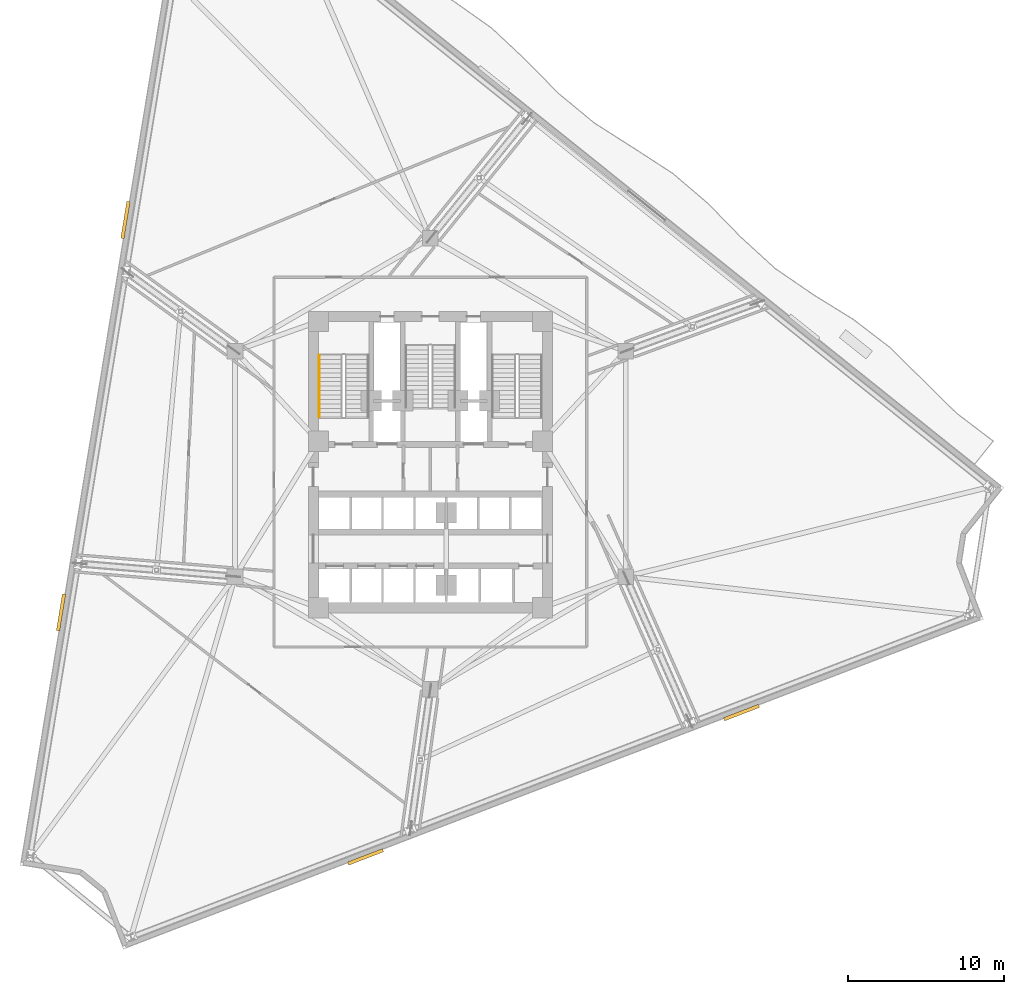
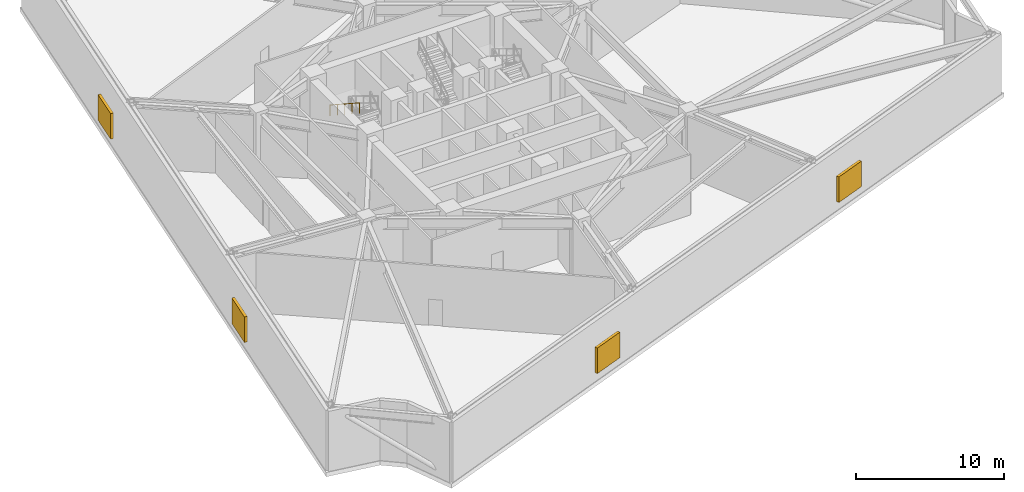
# One storey, part 16 of 18: 4 shading devices, 1 railing.
"""IFC4 building model written with IfcOpenShell, lengths in metres."""

from ifc_helpers import new_model, si_unit, direction, frame, origin, origin_2d, place, context, subcontext, project, spatial, rectangle, extrude, material, type_object, element, save


model = new_model("IFC4")

# Units and contexts
model_context = context("Model", 3, precision=1e-05, world=origin(), true_north=direction((0.0, 1.0)))
body_context = subcontext(model_context, "Body", "Model", "MODEL_VIEW")
ifc_project = project(units=[si_unit("LENGTHUNIT", "METRE"), si_unit("AREAUNIT", "SQUARE_METRE"), si_unit("VOLUMEUNIT", "CUBIC_METRE"), si_unit("PLANEANGLEUNIT", "RADIAN"), si_unit("MASSUNIT", "GRAM", prefix="KILO")], contexts=[model_context])

# Site, building, storey
site_placement = place(None, origin())
site = spatial("IfcSite", under=ifc_project, at=site_placement, CompositionType="ELEMENT")
building_placement = place(site_placement, origin())
building = spatial("IfcBuilding", under=site, at=building_placement, Name="Apsidion Concourse Tower", CompositionType="ELEMENT")
storey_placement = place(building_placement, frame((0.0, 0.0, 127.0)))
storey = spatial("IfcBuildingStorey", under=building, at=storey_placement, Name="L29", CompositionType="ELEMENT", Elevation=127.0)

# Railing
ifc_material_1 = material(Name="Brushed stainless steel 316", Category="steel")
railing_type = type_object("IfcRailingType", Name="RL-HAND-900", PredefinedType="HANDRAIL", material=ifc_material_1)
railing_placement = place(storey_placement, frame((-7.14990234375, 6.989990234375, 2.7734375)))
element("IfcRailing", 1, at=railing_placement, inside=storey, type_object=railing_type, Name="L29 ST1 stair handrail 2", PredefinedType="HANDRAIL", context=body_context, shape_type="SweptSolid", body=[
    extrude(rectangle(XDim=0.048095703125, YDim=0.048095703125, at=origin_2d()), frame((0.0, 0.0, 0.8759765625), z_axis=(0.0, -0.837832859484, 0.545926826204), x_axis=(1.0, 0.0, 0.0)), (0.0, 0.0, 1.0), 4.76220703125),
    extrude(rectangle(XDim=0.0419921875, YDim=0.0419921875, at=origin_2d()), origin(), (0.0, 0.0, 1.0), 0.851806640625),
    extrude(rectangle(XDim=0.0419921875, YDim=0.0419921875, at=origin_2d()), frame((0.0, -0.99755859375, 0.64990234375)), (0.0, 0.0, 1.0), 0.851806640625),
    extrude(rectangle(XDim=0.0419921875, YDim=0.0419921875, at=origin_2d()), frame((0.0, -1.9951171875, 1.2998046875)), (0.0, 0.0, 1.0), 0.851806640625),
    extrude(rectangle(XDim=0.0419921875, YDim=0.0419921875, at=origin_2d()), frame((0.0, -2.992431640625, 1.949951171875)), (0.0, 0.0, 1.0), 0.851806640625),
    extrude(rectangle(XDim=0.0419921875, YDim=0.0419921875, at=origin_2d()), frame((0.0, -3.989990234375, 2.599853515625)), (0.0, 0.0, 1.0), 0.851806640625),
])

# Shading devices
ifc_material_2 = material(Name="Anodised aluminium EN AW-6063 T6", Category="aluminium")
shading_device_type = type_object("IfcShadingDeviceType", Name="SH-LOUVRE-AL", PredefinedType="JALOUSIE", material=ifc_material_2)
for number, where, z_axis, x_axis, name in (
    (2, (20.001220703125, -15.990478515625, 0.75), (0.0, 0.0, 1.0), (-0.933580426497, -0.358367949545, 0.0), "L29 Plant Acoustic Louvre Bank 5-1"),
    (3, (-4.1640625, -25.2666015625, 0.75), (0.0, 0.0, 1.0), (-0.933580426497, -0.358367949545, 0.0), "L29 Plant Acoustic Louvre Bank 5-2"),
    (4, (-23.741943359375, -9.5517578125, 0.75), (0.0, 0.0, 1.0), (0.161948288881, 0.98679924591, 0.0), "L29 Plant Acoustic Louvre Bank 9-1"),
    (5, (-19.601806640625, 15.671630859375, 0.75), (0.0, 0.0, 1.0), (0.161948288881, 0.98679924591, 0.0), "L29 Plant Acoustic Louvre Bank 9-2"),
):
    element("IfcShadingDevice", number, at=place(storey_placement, frame(where, z_axis=z_axis, x_axis=x_axis)), inside=storey, type_object=shading_device_type, Name=name, PredefinedType="JALOUSIE", context=body_context, shape_type="SweptSolid", body=[
        extrude(rectangle(XDim=2.39990234375, YDim=0.219970703125, at=origin_2d()), origin(), (0.0, 0.0, 1.0), 2.10009765625),
    ])

save(model, "model.ifc")
